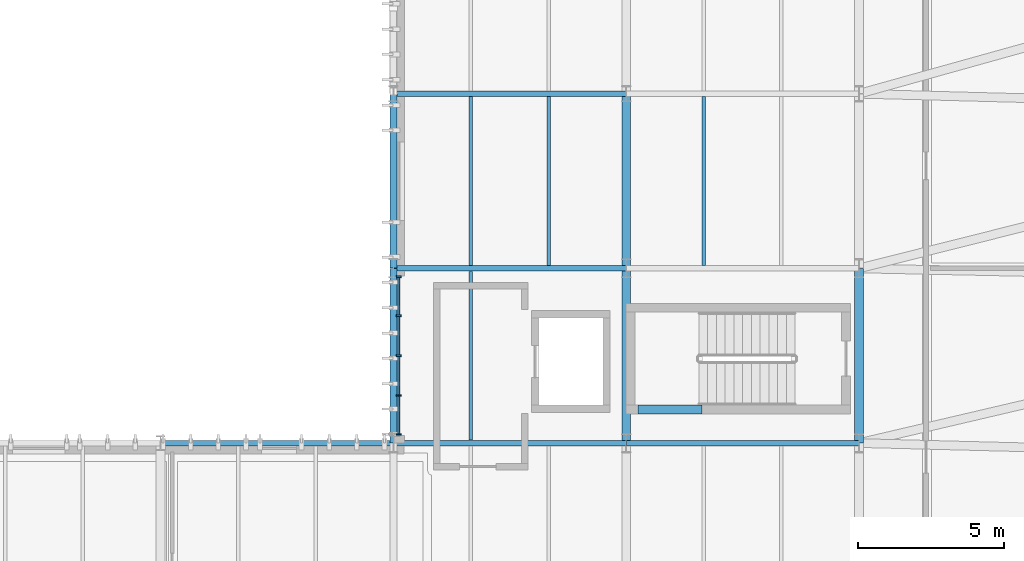
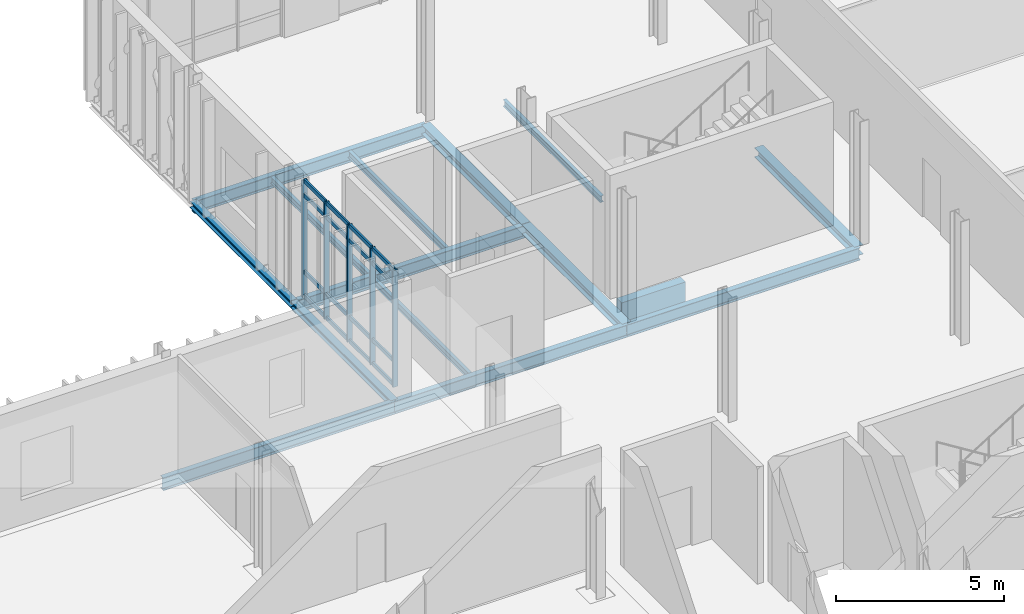
# One storey, part 43 of 100: 21 members, 15 beams, 1 element without a shape of its own.
"""IFC4 building model written with IfcOpenShell, lengths in metres."""

from ifc_helpers import new_model, si_unit, direction, frame, origin, origin_2d, place, context, subcontext, project, spatial, rectangle, i_section, extrude, material, material_profile, profile_set, type_object, element, aggregate, save


model = new_model("IFC4")

# Units and contexts
model_context = context("Model", 3, precision=1e-05, world=origin(), true_north=direction((0.0, 1.0)))
body_context = subcontext(model_context, "Body", "Model", "MODEL_VIEW")
ifc_project = project(units=[si_unit("LENGTHUNIT", "METRE"), si_unit("AREAUNIT", "SQUARE_METRE"), si_unit("VOLUMEUNIT", "CUBIC_METRE"), si_unit("PLANEANGLEUNIT", "RADIAN"), si_unit("MASSUNIT", "GRAM", prefix="KILO")], contexts=[model_context])

# Site, building, storey
site_placement = place(None, origin())
site = spatial("IfcSite", under=ifc_project, at=site_placement, CompositionType="ELEMENT")
building_placement = place(site_placement, origin())
building = spatial("IfcBuilding", under=site, at=building_placement, Name="Cymarion Research Institute", CompositionType="ELEMENT")
storey_placement = place(building_placement, frame((0.0, 0.0, 4.800048828125)))
storey = spatial("IfcBuildingStorey", under=building, at=storey_placement, Name="L01", CompositionType="ELEMENT", Elevation=4.800048828125)

# Beam
ifc_material_1 = material(Name="Concrete C40/50", Category="concrete")
ifc_material_profile_1 = material_profile(ifc_material_1, rectangle(XDim=0.300048828125, YDim=0.75, at=origin_2d()), Name="RC 300x750")
ifc_profile_set_1 = profile_set([ifc_material_profile_1], Name="Concrete C40/50")
beam_type_1 = type_object("IfcBeamType", Name="COUPLING LINTEL LN01 RC 300x750", PredefinedType="LINTEL", material=ifc_profile_set_1)
beam_placement = place(storey_placement, frame((147.0, 24.64990234375, -0.64501953125), z_axis=(1.0, 0.0, 0.0), x_axis=(0.0, 1.0, 0.0)))
element("IfcBeam", 1, at=beam_placement, inside=storey, type_object=beam_type_1, Name="L01 C2 core coupling lintel LN01", PredefinedType="LINTEL", context=body_context, shape_type="SweptSolid", body=[
    extrude(rectangle(XDim=0.300048828125, YDim=0.75, at=origin_2d()), origin(), (0.0, 0.0, 1.0), 2.199951171875),
])

# Curtain wall, members
ifc_material_2 = material(Name="Anodised aluminium unitised curtain wall with Low-E glazing", Category="aluminium")
curtain_wall_type = type_object("IfcCurtainWallType", Name="UNITISED CURTAIN WALL CW06 5480X4250", PredefinedType="NOTDEFINED", material=ifc_material_2)
curtain_wall_placement = place(storey_placement, origin())
curtain_wall = element("IfcCurtainWall", 2, at=curtain_wall_placement, inside=storey, type_object=curtain_wall_type, Name="L01 V1 unitised curtain wall CW06 #12", PredefinedType="NOTDEFINED")
ifc_material_3 = material(Name="Anodised aluminium framing", Category="aluminium")
ifc_material_profile_2 = material_profile(ifc_material_3, rectangle(XDim=0.06005859375, YDim=0.179931640625, at=origin_2d()), Name="ALU MULLION 60x180")
ifc_profile_set_2 = profile_set([ifc_material_profile_2], Name="Anodised aluminium framing")
member_type_1 = type_object("IfcMemberType", Name="CURTAIN WALL MULLION ML01 60X180", PredefinedType="MULLION", material=ifc_profile_set_2)
member_1_placement = place(storey_placement, frame((138.7900390625, 29.2099609375, 0.0), z_axis=(0.0, 0.0, 1.0), x_axis=(0.0, -1.0, 0.0)))
member_1 = element("IfcMember", 3, at=member_1_placement, type_object=member_type_1, Name="CW06 mullion 1", PredefinedType="MULLION", context=body_context, shape_type="SweptSolid", body=[
    extrude(rectangle(XDim=0.06005859375, YDim=0.179931640625, at=origin_2d()), origin(), (0.0, 0.0, 1.0), 4.25),
])
member_2_placement = place(storey_placement, frame((138.7900390625, 27.8701171875, 0.0), z_axis=(0.0, 0.0, 1.0), x_axis=(0.0, -1.0, 0.0)))
member_2 = element("IfcMember", 4, at=member_2_placement, type_object=member_type_1, Name="CW06 mullion 2", PredefinedType="MULLION", context=body_context, shape_type="SweptSolid", body=[
    extrude(rectangle(XDim=0.06005859375, YDim=0.179931640625, at=origin_2d()), origin(), (0.0, 0.0, 1.0), 4.25),
])
member_3_placement = place(storey_placement, frame((138.7900390625, 26.5, 0.0), z_axis=(0.0, 0.0, 1.0), x_axis=(0.0, -1.0, 0.0)))
member_3 = element("IfcMember", 5, at=member_3_placement, type_object=member_type_1, Name="CW06 mullion 3", PredefinedType="MULLION", context=body_context, shape_type="SweptSolid", body=[
    extrude(rectangle(XDim=0.06005859375, YDim=0.179931640625, at=origin_2d()), origin(), (0.0, 0.0, 1.0), 4.25),
])
member_4_placement = place(storey_placement, frame((138.7900390625, 25.1298828125, 0.0), z_axis=(0.0, 0.0, 1.0), x_axis=(0.0, -1.0, 0.0)))
member_4 = element("IfcMember", 6, at=member_4_placement, type_object=member_type_1, Name="CW06 mullion 4", PredefinedType="MULLION", context=body_context, shape_type="SweptSolid", body=[
    extrude(rectangle(XDim=0.06005859375, YDim=0.179931640625, at=origin_2d()), origin(), (0.0, 0.0, 1.0), 4.25),
])
member_5_placement = place(storey_placement, frame((138.7900390625, 23.7900390625, 0.0), z_axis=(0.0, 0.0, 1.0), x_axis=(0.0, -1.0, 0.0)))
member_5 = element("IfcMember", 7, at=member_5_placement, type_object=member_type_1, Name="CW06 mullion 5", PredefinedType="MULLION", context=body_context, shape_type="SweptSolid", body=[
    extrude(rectangle(XDim=0.06005859375, YDim=0.179931640625, at=origin_2d()), origin(), (0.0, 0.0, 1.0), 4.25),
])
ifc_material_profile_3 = material_profile(ifc_material_3, rectangle(XDim=0.06005859375, YDim=0.14990234375, at=origin_2d()), Name="ALU TRANSOM 60x150")
ifc_profile_set_3 = profile_set([ifc_material_profile_3], Name="Anodised aluminium framing")
member_type_2 = type_object("IfcMemberType", Name="CURTAIN WALL TRANSOM TR01 60X150", PredefinedType="USERDEFINED", material=ifc_profile_set_3)
member_6_placement = place(storey_placement, frame((138.7900390625, 29.179931640625, 0.030029296875), z_axis=(0.0, -1.0, 0.0), x_axis=(1.0, 0.0, 0.0)))
member_6 = element("IfcMember", 8, at=member_6_placement, type_object=member_type_2, Name="CW06 transom 1.1", ObjectType="TRANSOM", PredefinedType="USERDEFINED", context=body_context, shape_type="SweptSolid", body=[
    extrude(rectangle(XDim=0.06005859375, YDim=0.14990234375, at=origin_2d()), origin(), (0.0, 0.0, 1.0), 1.280029296875),
])
member_7_placement = place(storey_placement, frame((138.7900390625, 29.179931640625, 0.89990234375), z_axis=(0.0, -1.0, 0.0), x_axis=(1.0, 0.0, 0.0)))
member_7 = element("IfcMember", 9, at=member_7_placement, type_object=member_type_2, Name="CW06 transom 1.2", ObjectType="TRANSOM", PredefinedType="USERDEFINED", context=body_context, shape_type="SweptSolid", body=[
    extrude(rectangle(XDim=0.06005859375, YDim=0.14990234375, at=origin_2d()), origin(), (0.0, 0.0, 1.0), 1.280029296875),
])
member_8_placement = place(storey_placement, frame((138.7900390625, 29.179931640625, 3.699951171875), z_axis=(0.0, -1.0, 0.0), x_axis=(1.0, 0.0, 0.0)))
member_8 = element("IfcMember", 10, at=member_8_placement, type_object=member_type_2, Name="CW06 transom 1.3", ObjectType="TRANSOM", PredefinedType="USERDEFINED", context=body_context, shape_type="SweptSolid", body=[
    extrude(rectangle(XDim=0.06005859375, YDim=0.14990234375, at=origin_2d()), origin(), (0.0, 0.0, 1.0), 1.280029296875),
])
member_9_placement = place(storey_placement, frame((138.7900390625, 29.179931640625, 4.219970703125), z_axis=(0.0, -1.0, 0.0), x_axis=(1.0, 0.0, 0.0)))
member_9 = element("IfcMember", 11, at=member_9_placement, type_object=member_type_2, Name="CW06 transom 1.4", ObjectType="TRANSOM", PredefinedType="USERDEFINED", context=body_context, shape_type="SweptSolid", body=[
    extrude(rectangle(XDim=0.06005859375, YDim=0.14990234375, at=origin_2d()), origin(), (0.0, 0.0, 1.0), 1.280029296875),
])
member_10_placement = place(storey_placement, frame((138.7900390625, 27.840087890625, 0.030029296875), z_axis=(0.0, -1.0, 0.0), x_axis=(1.0, 0.0, 0.0)))
member_10 = element("IfcMember", 12, at=member_10_placement, type_object=member_type_2, Name="CW06 transom 2.1", ObjectType="TRANSOM", PredefinedType="USERDEFINED", context=body_context, shape_type="SweptSolid", body=[
    extrude(rectangle(XDim=0.06005859375, YDim=0.14990234375, at=origin_2d()), origin(), (0.0, 0.0, 1.0), 1.31005859375),
])
member_11_placement = place(storey_placement, frame((138.7900390625, 27.840087890625, 0.89990234375), z_axis=(0.0, -1.0, 0.0), x_axis=(1.0, 0.0, 0.0)))
member_11 = element("IfcMember", 13, at=member_11_placement, type_object=member_type_2, Name="CW06 transom 2.2", ObjectType="TRANSOM", PredefinedType="USERDEFINED", context=body_context, shape_type="SweptSolid", body=[
    extrude(rectangle(XDim=0.06005859375, YDim=0.14990234375, at=origin_2d()), origin(), (0.0, 0.0, 1.0), 1.31005859375),
])
member_12_placement = place(storey_placement, frame((138.7900390625, 27.840087890625, 3.699951171875), z_axis=(0.0, -1.0, 0.0), x_axis=(1.0, 0.0, 0.0)))
member_12 = element("IfcMember", 14, at=member_12_placement, type_object=member_type_2, Name="CW06 transom 2.3", ObjectType="TRANSOM", PredefinedType="USERDEFINED", context=body_context, shape_type="SweptSolid", body=[
    extrude(rectangle(XDim=0.06005859375, YDim=0.14990234375, at=origin_2d()), origin(), (0.0, 0.0, 1.0), 1.31005859375),
])
member_13_placement = place(storey_placement, frame((138.7900390625, 27.840087890625, 4.219970703125), z_axis=(0.0, -1.0, 0.0), x_axis=(1.0, 0.0, 0.0)))
member_13 = element("IfcMember", 15, at=member_13_placement, type_object=member_type_2, Name="CW06 transom 2.4", ObjectType="TRANSOM", PredefinedType="USERDEFINED", context=body_context, shape_type="SweptSolid", body=[
    extrude(rectangle(XDim=0.06005859375, YDim=0.14990234375, at=origin_2d()), origin(), (0.0, 0.0, 1.0), 1.31005859375),
])
member_14_placement = place(storey_placement, frame((138.7900390625, 26.469970703125, 0.030029296875), z_axis=(0.0, -1.0, 0.0), x_axis=(1.0, 0.0, 0.0)))
member_14 = element("IfcMember", 16, at=member_14_placement, type_object=member_type_2, Name="CW06 transom 3.1", ObjectType="TRANSOM", PredefinedType="USERDEFINED", context=body_context, shape_type="SweptSolid", body=[
    extrude(rectangle(XDim=0.06005859375, YDim=0.14990234375, at=origin_2d()), origin(), (0.0, 0.0, 1.0), 1.31005859375),
])
member_15_placement = place(storey_placement, frame((138.7900390625, 26.469970703125, 0.89990234375), z_axis=(0.0, -1.0, 0.0), x_axis=(1.0, 0.0, 0.0)))
member_15 = element("IfcMember", 17, at=member_15_placement, type_object=member_type_2, Name="CW06 transom 3.2", ObjectType="TRANSOM", PredefinedType="USERDEFINED", context=body_context, shape_type="SweptSolid", body=[
    extrude(rectangle(XDim=0.06005859375, YDim=0.14990234375, at=origin_2d()), origin(), (0.0, 0.0, 1.0), 1.31005859375),
])
member_16_placement = place(storey_placement, frame((138.7900390625, 26.469970703125, 3.699951171875), z_axis=(0.0, -1.0, 0.0), x_axis=(1.0, 0.0, 0.0)))
member_16 = element("IfcMember", 18, at=member_16_placement, type_object=member_type_2, Name="CW06 transom 3.3", ObjectType="TRANSOM", PredefinedType="USERDEFINED", context=body_context, shape_type="SweptSolid", body=[
    extrude(rectangle(XDim=0.06005859375, YDim=0.14990234375, at=origin_2d()), origin(), (0.0, 0.0, 1.0), 1.31005859375),
])
member_17_placement = place(storey_placement, frame((138.7900390625, 26.469970703125, 4.219970703125), z_axis=(0.0, -1.0, 0.0), x_axis=(1.0, 0.0, 0.0)))
member_17 = element("IfcMember", 19, at=member_17_placement, type_object=member_type_2, Name="CW06 transom 3.4", ObjectType="TRANSOM", PredefinedType="USERDEFINED", context=body_context, shape_type="SweptSolid", body=[
    extrude(rectangle(XDim=0.06005859375, YDim=0.14990234375, at=origin_2d()), origin(), (0.0, 0.0, 1.0), 1.31005859375),
])
member_18_placement = place(storey_placement, frame((138.7900390625, 25.10009765625, 0.030029296875), z_axis=(0.0, -1.0, 0.0), x_axis=(1.0, 0.0, 0.0)))
member_18 = element("IfcMember", 20, at=member_18_placement, type_object=member_type_2, Name="CW06 transom 4.1", ObjectType="TRANSOM", PredefinedType="USERDEFINED", context=body_context, shape_type="SweptSolid", body=[
    extrude(rectangle(XDim=0.06005859375, YDim=0.14990234375, at=origin_2d()), origin(), (0.0, 0.0, 1.0), 1.280029296875),
])
member_19_placement = place(storey_placement, frame((138.7900390625, 25.10009765625, 0.89990234375), z_axis=(0.0, -1.0, 0.0), x_axis=(1.0, 0.0, 0.0)))
member_19 = element("IfcMember", 21, at=member_19_placement, type_object=member_type_2, Name="CW06 transom 4.2", ObjectType="TRANSOM", PredefinedType="USERDEFINED", context=body_context, shape_type="SweptSolid", body=[
    extrude(rectangle(XDim=0.06005859375, YDim=0.14990234375, at=origin_2d()), origin(), (0.0, 0.0, 1.0), 1.280029296875),
])
member_20_placement = place(storey_placement, frame((138.7900390625, 25.10009765625, 3.699951171875), z_axis=(0.0, -1.0, 0.0), x_axis=(1.0, 0.0, 0.0)))
member_20 = element("IfcMember", 22, at=member_20_placement, type_object=member_type_2, Name="CW06 transom 4.3", ObjectType="TRANSOM", PredefinedType="USERDEFINED", context=body_context, shape_type="SweptSolid", body=[
    extrude(rectangle(XDim=0.06005859375, YDim=0.14990234375, at=origin_2d()), origin(), (0.0, 0.0, 1.0), 1.280029296875),
])
member_21_placement = place(storey_placement, frame((138.7900390625, 25.10009765625, 4.219970703125), z_axis=(0.0, -1.0, 0.0), x_axis=(1.0, 0.0, 0.0)))
member_21 = element("IfcMember", 23, at=member_21_placement, type_object=member_type_2, Name="CW06 transom 4.4", ObjectType="TRANSOM", PredefinedType="USERDEFINED", context=body_context, shape_type="SweptSolid", body=[
    extrude(rectangle(XDim=0.06005859375, YDim=0.14990234375, at=origin_2d()), origin(), (0.0, 0.0, 1.0), 1.280029296875),
])
aggregate(curtain_wall, [member_1, member_2, member_3, member_4, member_5, member_6, member_7, member_8, member_9, member_10, member_11, member_12, member_13, member_14, member_15, member_16, member_17, member_18, member_19, member_20, member_21])

# Beams
ifc_material_4 = material(Name="Steel S355", Category="steel")
ifc_material_profile_4 = material_profile(ifc_material_4, i_section(OverallWidth=0.18994140625, OverallDepth=0.449951171875, WebThickness=0.009521484375, FlangeThickness=0.0146484375, FilletRadius=0.02099609375, at=origin_2d()), Name="IPE 450")
ifc_profile_set_4 = profile_set([ifc_material_profile_4], Name="Steel S355")
beam_type_2 = type_object("IfcBeamType", Name="PRIMARY GIRDER BM04 IPE 450", PredefinedType="BEAM", material=ifc_profile_set_4)
for number, where, z_axis, x_axis, name in (
    (24, (130.60595703125, 23.5, -0.47509765625), (1.0, 0.0, 0.0), (0.0, 1.0, 0.0), "L01 V1 girder BM04 #367"),
    (25, (138.60595703125, 23.5, -0.47509765625), (1.0, 0.0, 0.0), (0.0, 1.0, 0.0), "L01 V1 girder BM04 #368"),
    (26, (146.60595703125, 23.5, -0.47509765625), (1.0, 0.0, 0.0), (0.0, 1.0, 0.0), "L01 V1 girder BM04 #369"),
    (27, (138.60595703125, 29.5, -0.47509765625), (1.0, 0.0, 0.0), (0.0, 1.0, 0.0), "L01 V1 girder BM04 #370"),
    (28, (138.60595703125, 35.5, -0.47509765625), (1.0, 0.0, 0.0), (0.0, 1.0, 0.0), "L01 V1 girder BM04 #372"),
):
    element("IfcBeam", number, at=place(storey_placement, frame(where, z_axis=z_axis, x_axis=x_axis)), inside=storey, type_object=beam_type_2, Name=name, PredefinedType="BEAM", context=body_context, shape_type="SweptSolid", body=[
        extrude(i_section(OverallWidth=0.18994140625, OverallDepth=0.449951171875, WebThickness=0.009521484375, FlangeThickness=0.0146484375, FilletRadius=0.02099609375, at=origin_2d()), origin(), (0.0, 0.0, 1.0), 7.988037109375),
    ])
ifc_material_profile_5 = material_profile(ifc_material_4, i_section(OverallWidth=0.300048828125, OverallDepth=0.35009765625, WebThickness=0.010009765625, FlangeThickness=0.017578125, FilletRadius=0.027099609375, at=origin_2d()), Name="HEA 360")
ifc_profile_set_5 = profile_set([ifc_material_profile_5], Name="Steel S355")
beam_type_3 = type_object("IfcBeamType", Name="PRIMARY GIRDER BM12 HEA 360", PredefinedType="BEAM", material=ifc_profile_set_5)
for number, where, z_axis, x_axis, name in (
    (29, (146.60009765625, 23.506103515625, -0.425048828125), (0.0, 1.0, 0.0), (-1.0, 0.0, 0.0), "L01 V1 girder BM12 #396"),
    (30, (146.60009765625, 29.506103515625, -0.425048828125), (0.0, 1.0, 0.0), (-1.0, 0.0, 0.0), "L01 V1 girder BM12 #397"),
    (31, (154.60009765625, 23.506103515625, -0.425048828125), (0.0, 1.0, 0.0), (-1.0, 0.0, 0.0), "L01 V1 girder BM12 #401"),
):
    element("IfcBeam", number, at=place(storey_placement, frame(where, z_axis=z_axis, x_axis=x_axis)), inside=storey, type_object=beam_type_3, Name=name, PredefinedType="BEAM", context=body_context, shape_type="SweptSolid", body=[
        extrude(i_section(OverallWidth=0.300048828125, OverallDepth=0.35009765625, WebThickness=0.010009765625, FlangeThickness=0.017578125, FilletRadius=0.027099609375, at=origin_2d()), origin(), (0.0, 0.0, 1.0), 5.98779296875),
    ])
ifc_material_profile_6 = material_profile(ifc_material_4, i_section(OverallWidth=0.1201171875, OverallDepth=0.239990234375, WebThickness=0.006103515625, FlangeThickness=0.009765625, FilletRadius=0.014892578125, at=origin_2d()), Name="IPE 240")
ifc_profile_set_6 = profile_set([ifc_material_profile_6], Name="Steel S355")
beam_type_4 = type_object("IfcBeamType", Name="SECONDARY JOIST JS04 IPE 240", PredefinedType="JOIST", material=ifc_profile_set_6)
for number, where, z_axis, x_axis, name in (
    (32, (141.2666015625, 23.59912109375, -0.3701171875), (0.0, 1.0, 0.0), (-1.0, 0.0, 0.0), "L01 V1 secondary joist JS04 #449"),
    (33, (141.2666015625, 29.59912109375, -0.3701171875), (0.0, 1.0, 0.0), (-1.0, 0.0, 0.0), "L01 V1 secondary joist JS04 #450"),
    (34, (143.933349609375, 29.59912109375, -0.3701171875), (0.0, 1.0, 0.0), (-1.0, 0.0, 0.0), "L01 V1 secondary joist JS04 #451"),
    (35, (149.2666015625, 29.59912109375, -0.3701171875), (0.0, 1.0, 0.0), (-1.0, 0.0, 0.0), "L01 V1 secondary joist JS04 #452"),
):
    element("IfcBeam", number, at=place(storey_placement, frame(where, z_axis=z_axis, x_axis=x_axis)), inside=storey, type_object=beam_type_4, Name=name, PredefinedType="JOIST", context=body_context, shape_type="SweptSolid", body=[
        extrude(i_section(OverallWidth=0.1201171875, OverallDepth=0.239990234375, WebThickness=0.006103515625, FlangeThickness=0.009765625, FilletRadius=0.014892578125, at=origin_2d()), origin(), (0.0, 0.0, 1.0), 5.8017578125),
    ])
ifc_material_profile_7 = material_profile(ifc_material_4, i_section(OverallWidth=0.239990234375, OverallDepth=0.22998046875, WebThickness=0.007568359375, FlangeThickness=0.011962890625, FilletRadius=0.02099609375, at=origin_2d()), Name="HEA 240")
ifc_profile_set_7 = profile_set([ifc_material_profile_7], Name="Steel S355")
beam_type_5 = type_object("IfcBeamType", Name="SPANDREL BEAM SPB03 HEA 240", PredefinedType="SPANDREL", material=ifc_profile_set_7)
for number, where, z_axis, x_axis, name in (
    (36, (138.60009765625, 23.506103515625, -0.364990234375), (0.0, 1.0, 0.0), (-1.0, 0.0, 0.0), "L01 V1 girder SPB03 #391"),
    (37, (138.60009765625, 29.506103515625, -0.364990234375), (0.0, 1.0, 0.0), (-1.0, 0.0, 0.0), "L01 V1 girder SPB03 #392"),
):
    element("IfcBeam", number, at=place(storey_placement, frame(where, z_axis=z_axis, x_axis=x_axis)), inside=storey, type_object=beam_type_5, Name=name, PredefinedType="SPANDREL", context=body_context, shape_type="SweptSolid", body=[
        extrude(i_section(OverallWidth=0.239990234375, OverallDepth=0.22998046875, WebThickness=0.007568359375, FlangeThickness=0.011962890625, FilletRadius=0.02099609375, at=origin_2d()), origin(), (0.0, 0.0, 1.0), 5.98779296875),
    ])

save(model, "model.ifc")
